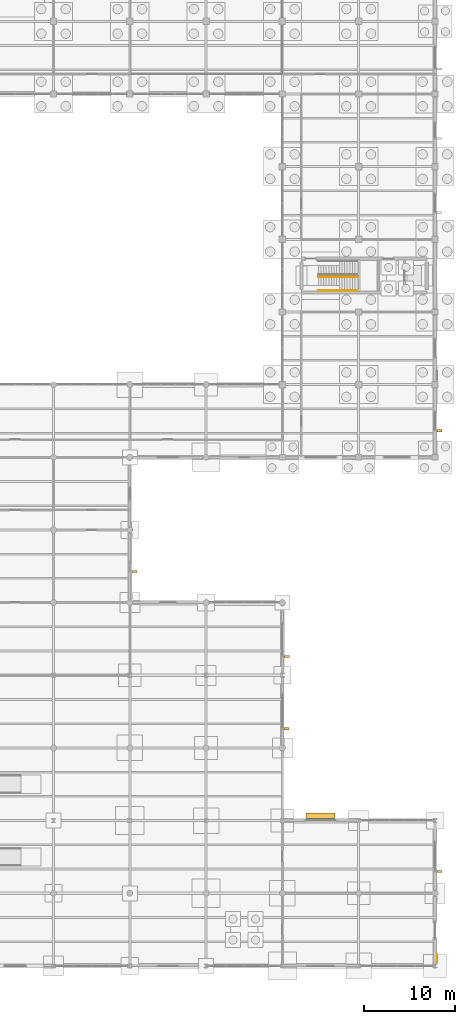
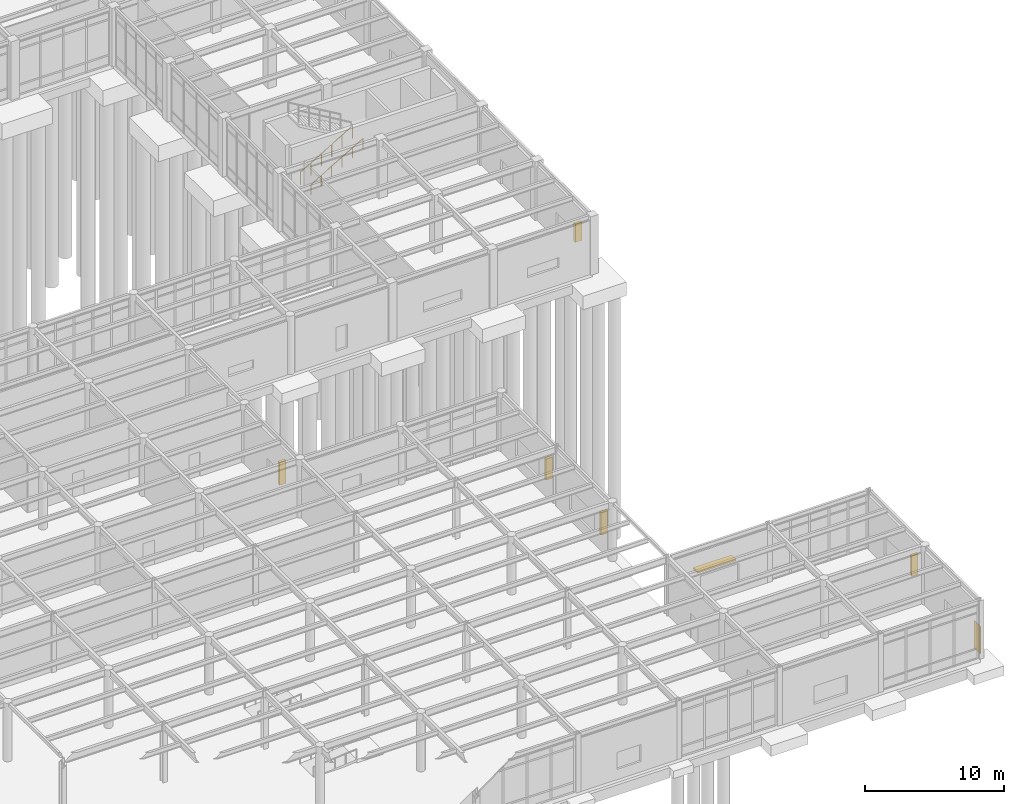
# One storey, part 135 of 138: 6 shading devices, 2 railings, 1 covering.
"""IFC4 building model written with IfcOpenShell, lengths in metres."""

from ifc_helpers import new_model, si_unit, direction, frame, origin, origin_2d, place, context, subcontext, project, spatial, rectangle, circle, extrude, material, layer, layer_set, type_object, element, save


model = new_model("IFC4")

# Units and contexts
model_context = context("Model", 3, precision=1e-05, world=origin(), true_north=direction((0.0, 1.0)))
body_context = subcontext(model_context, "Body", "Model", "MODEL_VIEW")
ifc_project = project(units=[si_unit("LENGTHUNIT", "METRE"), si_unit("AREAUNIT", "SQUARE_METRE"), si_unit("VOLUMEUNIT", "CUBIC_METRE"), si_unit("PLANEANGLEUNIT", "RADIAN"), si_unit("MASSUNIT", "GRAM", prefix="KILO")], contexts=[model_context])

# Site, building, storey
site_placement = place(None, origin())
site = spatial("IfcSite", under=ifc_project, at=site_placement, CompositionType="ELEMENT")
building_placement = place(site_placement, origin())
building = spatial("IfcBuilding", under=site, at=building_placement, Name="Kranzveld Transit Interchange", CompositionType="ELEMENT")
storey_placement = place(building_placement, origin())
storey = spatial("IfcBuildingStorey", under=building, at=storey_placement, Name="L00", CompositionType="ELEMENT", Elevation=0.0)

# Shading devices
ifc_material_1 = material(Name="Bronze-anodised thermally broken aluminium", Category="aluminium")
shading_device_type_1 = type_object("IfcShadingDeviceType", Name="East-West Deep Clinker Solar Fin", PredefinedType="USERDEFINED", material=ifc_material_1)
shading_device_1_placement = place(storey_placement, frame((168.47998046875, 58.927490234375, 0.824951171875), z_axis=(0.0, 0.0, 1.0), x_axis=(0.0, 1.0, 0.0)))
element("IfcShadingDevice", 1, at=shading_device_1_placement, inside=storey, type_object=shading_device_type_1, Name="L00 Vertical Solar Fin 21/H", ObjectType="SOLAR FIN", PredefinedType="USERDEFINED", context=body_context, shape_type="SweptSolid", body=[
    extrude(rectangle(XDim=0.239990234375, YDim=0.550048828125, at=origin_2d()), origin(), (0.0, 0.0, 1.0), 1.60009765625),
])
shading_device_2_placement = place(storey_placement, frame((134.89501953125, 43.43994140625, 0.574951171875), z_axis=(0.0, 0.0, 1.0), x_axis=(0.0, 1.0, 0.0)))
element("IfcShadingDevice", 2, at=shading_device_2_placement, inside=storey, type_object=shading_device_type_1, Name="L00 Vertical Solar Fin 17/F", ObjectType="SOLAR FIN", PredefinedType="USERDEFINED", context=body_context, shape_type="SweptSolid", body=[
    extrude(rectangle(XDim=0.239990234375, YDim=0.550048828125, at=origin_2d()), origin(), (0.0, 0.0, 1.0), 2.0),
])
shading_device_3_placement = place(storey_placement, frame((151.679931640625, 26.10400390625, 0.8251953125), z_axis=(0.0, 0.0, 1.0), x_axis=(0.0, 1.0, 0.0)))
element("IfcShadingDevice", 3, at=shading_device_3_placement, inside=storey, type_object=shading_device_type_1, Name="L00 Vertical Solar Fin 19/D", ObjectType="SOLAR FIN", PredefinedType="USERDEFINED", context=body_context, shape_type="SweptSolid", body=[
    extrude(rectangle(XDim=0.239990234375, YDim=0.550048828125, at=origin_2d()), origin(), (0.0, 0.0, 1.0), 1.949951171875),
])
shading_device_4_placement = place(storey_placement, frame((151.695068359375, 34.075927734375, 0.824951171875), z_axis=(0.0, 0.0, 1.0), x_axis=(0.0, 1.0, 0.0)))
element("IfcShadingDevice", 4, at=shading_device_4_placement, inside=storey, type_object=shading_device_type_1, Name="L00 Vertical Solar Fin 19/E", ObjectType="SOLAR FIN", PredefinedType="USERDEFINED", context=body_context, shape_type="SweptSolid", body=[
    extrude(rectangle(XDim=0.239990234375, YDim=0.550048828125, at=origin_2d()), origin(), (0.0, 0.0, 1.0), 1.85009765625),
])
shading_device_5_placement = place(storey_placement, frame((168.47998046875, 10.404052734375, 0.8251953125), z_axis=(0.0, 0.0, 1.0), x_axis=(0.0, 1.0, 0.0)))
element("IfcShadingDevice", 5, at=shading_device_5_placement, inside=storey, type_object=shading_device_type_1, Name="L00 Vertical Solar Fin 21/B", ObjectType="SOLAR FIN", PredefinedType="USERDEFINED", context=body_context, shape_type="SweptSolid", body=[
    extrude(rectangle(XDim=0.239990234375, YDim=0.550048828125, at=origin_2d()), origin(), (0.0, 0.0, 1.0), 1.800048828125),
])
ifc_material_2 = material(Name="Bronze-anodised thermally broken aluminium", Category="aluminium")
shading_device_type_2 = type_object("IfcShadingDeviceType", Name="North Overhang Solar Louvre Brise-Soleil", PredefinedType="JALOUSIE", material=ifc_material_2)
shading_device_6_placement = place(storey_placement, frame((155.39990234375, 16.530029296875, 2.550048828125), z_axis=(0.0, 0.0, 1.0), x_axis=(1.0, 0.0, 0.0)))
element("IfcShadingDevice", 6, at=shading_device_6_placement, inside=storey, type_object=shading_device_type_2, Name="L00 North Solar Louvre 19/C", PredefinedType="JALOUSIE", context=body_context, shape_type="SweptSolid", body=[
    extrude(rectangle(XDim=3.199951171875, YDim=0.64990234375, at=origin_2d()), origin(), (0.0, 0.0, 1.0), 0.1201171875),
])

# Covering
ifc_material_3 = material(Name="Ochre Pretoria sandstone cladding, 45 MPa", Category="masonry")
ifc_layer = layer(ifc_material_3, 0.044921875)
ifc_layer_set = layer_set([ifc_layer], Name="Ochre Pretoria sandstone cladding, 45 MPa")
covering_type = type_object("IfcCoveringType", Name="Ochre Pretoria Sandstone Pier Cladding 45", PredefinedType="CLADDING", material=ifc_layer_set)
covering_placement = place(storey_placement, frame((168.242431640625, 0.8466796875, 0.0), z_axis=(0.0, 0.0, 1.0), x_axis=(0.0, 1.0, 0.0)))
element("IfcCovering", 7, at=covering_placement, inside=storey, type_object=covering_type, Name="L00 Sandstone Plinth Cladding 09", PredefinedType="CLADDING", context=body_context, shape_type="SweptSolid", body=[
    extrude(rectangle(XDim=0.89990234375, YDim=0.044921875, at=origin_2d()), origin(), (0.0, 0.0, 1.0), 2.39990234375),
])

# Railings
ifc_material_4 = material(Name="Steel S355JR", Category="steel")
railing_type_1 = type_object("IfcRailingType", Name="Stair & Ramp Handrail Steel 900", PredefinedType="HANDRAIL", material=ifc_material_4)
railing_1_placement = place(storey_placement, frame((155.14990234375, 74.3701171875, 0.169921875)))
element("IfcRailing", 8, at=railing_1_placement, inside=storey, type_object=railing_type_1, Name="L00 ST-V4B stair handrail 1", PredefinedType="HANDRAIL", context=body_context, shape_type="SweptSolid", body=[
    extrude(circle(Radius=0.02392578125, at=origin_2d()), frame((0.0, 0.0, 0.8759765625), z_axis=(0.862698698498, 0.0, 0.505718257145), x_axis=(0.0, 1.0, 0.0)), (0.0, 0.0, 1.0), 5.04248046875),
    extrude(circle(Radius=0.02099609375, at=origin_2d()), origin(), (0.0, 0.0, 1.0), 0.849853515625),
    extrude(circle(Radius=0.02099609375, at=origin_2d()), frame((0.8701171875, 0.0, 0.510009765625)), (0.0, 0.0, 1.0), 0.849853515625),
    extrude(circle(Radius=0.02099609375, at=origin_2d()), frame((1.739990234375, 0.0, 1.02001953125)), (0.0, 0.0, 1.0), 0.849853515625),
    extrude(circle(Radius=0.02099609375, at=origin_2d()), frame((2.610107421875, 0.0, 1.530029296875)), (0.0, 0.0, 1.0), 0.849853515625),
    extrude(circle(Radius=0.02099609375, at=origin_2d()), frame((3.47998046875, 0.0, 2.0400390625)), (0.0, 0.0, 1.0), 0.849853515625),
    extrude(circle(Radius=0.02099609375, at=origin_2d()), frame((4.35009765625, 0.0, 2.550048828125)), (0.0, 0.0, 1.0), 0.849853515625),
])
ifc_material_5 = material(Name="Steel S355JR", Category="steel")
railing_type_2 = type_object("IfcRailingType", Name="Stair Well Guardrail Steel 1100", PredefinedType="GUARDRAIL", material=ifc_material_5)
railing_2_placement = place(storey_placement, frame((155.14990234375, 75.8701171875, 0.169921875)))
element("IfcRailing", 9, at=railing_2_placement, inside=storey, type_object=railing_type_2, Name="L00 ST-V4B stair guard 1", PredefinedType="GUARDRAIL", context=body_context, shape_type="SweptSolid", body=[
    extrude(circle(Radius=0.02392578125, at=origin_2d()), frame((0.0, 0.0, 1.076171875), z_axis=(0.862698698498, 0.0, 0.505718257145), x_axis=(0.0, 1.0, 0.0)), (0.0, 0.0, 1.0), 5.04248046875),
    extrude(circle(Radius=0.02099609375, at=origin_2d()), origin(), (0.0, 0.0, 1.0), 1.050048828125),
    extrude(circle(Radius=0.02099609375, at=origin_2d()), frame((0.8701171875, 0.0, 0.510009765625)), (0.0, 0.0, 1.0), 1.050048828125),
    extrude(circle(Radius=0.02099609375, at=origin_2d()), frame((1.739990234375, 0.0, 1.02001953125)), (0.0, 0.0, 1.0), 1.050048828125),
    extrude(circle(Radius=0.02099609375, at=origin_2d()), frame((2.610107421875, 0.0, 1.530029296875)), (0.0, 0.0, 1.0), 1.050048828125),
    extrude(circle(Radius=0.02099609375, at=origin_2d()), frame((3.47998046875, 0.0, 2.0400390625)), (0.0, 0.0, 1.0), 1.050048828125),
    extrude(circle(Radius=0.02099609375, at=origin_2d()), frame((4.35009765625, 0.0, 2.550048828125)), (0.0, 0.0, 1.0), 1.050048828125),
])

save(model, "model.ifc")
